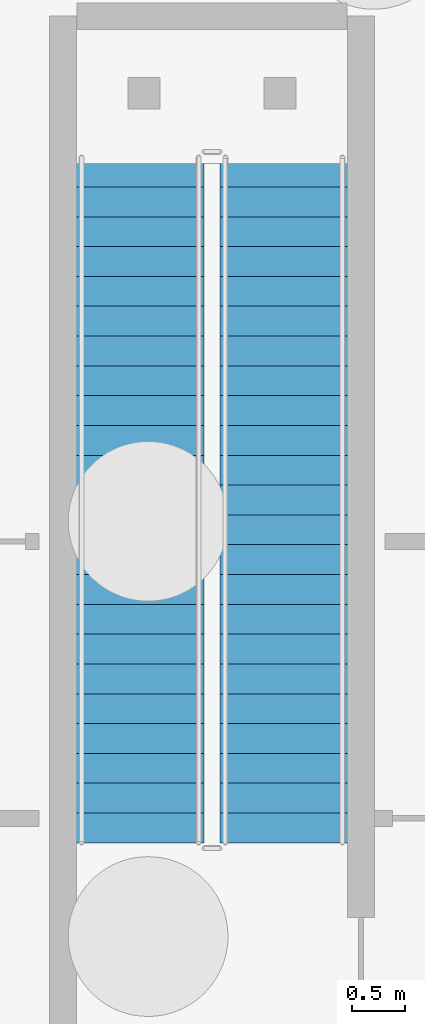
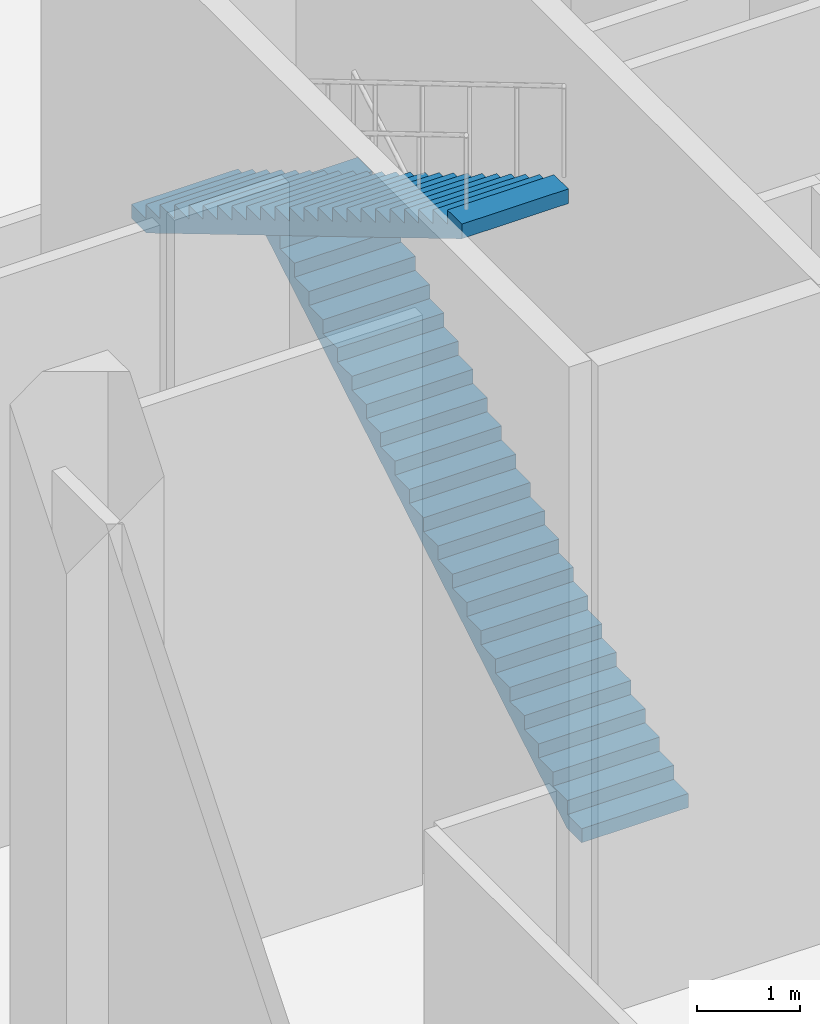
# One storey, part 23 of 34: 2 stair flights, 1 element without a shape of its own.
"""IFC4 building model written with IfcOpenShell, lengths in metres."""

from ifc_helpers import new_model, si_unit, direction, frame, origin, place, context, subcontext, project, spatial, faceted_brep, material, type_object, element, aggregate, save


model = new_model("IFC4")

# Units and contexts
model_context = context("Model", 3, precision=1e-05, world=origin(), true_north=direction((0.0, 1.0)))
body_context = subcontext(model_context, "Body", "Model", "MODEL_VIEW")
ifc_project = project(units=[si_unit("LENGTHUNIT", "METRE"), si_unit("AREAUNIT", "SQUARE_METRE"), si_unit("VOLUMEUNIT", "CUBIC_METRE"), si_unit("PLANEANGLEUNIT", "RADIAN"), si_unit("MASSUNIT", "GRAM", prefix="KILO")], contexts=[model_context])

# Site, building, storey
site_placement = place(None, origin())
site = spatial("IfcSite", under=ifc_project, at=site_placement, CompositionType="ELEMENT")
building_placement = place(site_placement, origin())
building = spatial("IfcBuilding", under=site, at=building_placement, Name="Tarsis Ring Headquarters", CompositionType="ELEMENT")
storey_placement = place(building_placement, origin())
storey = spatial("IfcBuildingStorey", under=building, at=storey_placement, Name="L00", CompositionType="ELEMENT", Elevation=0.0)

# Stair, stair flights
ifc_material = material(Name="Concrete C40/50", Category="concrete")
stair_type = type_object("IfcStairType", Name="PO-ST", PredefinedType="HALF_TURN_STAIR", material=ifc_material)
stair_placement = place(storey_placement, origin())
stair = element("IfcStair", 1, at=stair_placement, inside=storey, type_object=stair_type, Name="L00 Podium stair", PredefinedType="HALF_TURN_STAIR")
stair_flight_type = type_object("IfcStairFlightType", Name="PO-STF", PredefinedType="STRAIGHT", material=ifc_material)
stair_flight_1_placement = place(storey_placement, frame((24.675048828125, 0.8798828125, 0.0), z_axis=(0.0, 0.0, 1.0), x_axis=(0.0, 1.0, 0.0)))
stair_flight_1 = element("IfcStairFlight", 2, at=stair_flight_1_placement, type_object=stair_flight_type, Name="Stair PS1 flight 1", NumberOfRisers=24, NumberOfTreads=23, PredefinedType="STRAIGHT", RiserHeight=0.166666667, TreadLength=0.28, context=body_context, shape_type="Brep", body=[
    faceted_brep([(0.0, 0.60009765625, 0.0), (0.0, 0.60009765625, 0.166748046875), (0.280029296875, 0.60009765625, 0.166748046875), (0.280029296875, 0.60009765625, 0.333251953125), (0.56005859375, 0.60009765625, 0.333251953125), (0.56005859375, 0.60009765625, 0.5), (0.840087890625, 0.60009765625, 0.5), (0.840087890625, 0.60009765625, 0.666748046875), (1.1201171875, 0.60009765625, 0.666748046875), (1.1201171875, 0.60009765625, 0.833251953125), (1.39990234375, 0.60009765625, 0.833251953125), (1.39990234375, 0.60009765625, 1.0), (1.679931640625, 0.60009765625, 1.0), (1.679931640625, 0.60009765625, 1.166748046875), (1.9599609375, 0.60009765625, 1.166748046875), (1.9599609375, 0.60009765625, 1.333251953125), (2.239990234375, 0.60009765625, 1.333251953125), (2.239990234375, 0.60009765625, 1.5), (2.52001953125, 0.60009765625, 1.5), (2.52001953125, 0.60009765625, 1.666748046875), (2.800048828125, 0.60009765625, 1.666748046875), (2.800048828125, 0.60009765625, 1.833251953125), (3.080078125, 0.60009765625, 1.833251953125), (3.080078125, 0.60009765625, 2.0), (3.360107421875, 0.60009765625, 2.0), (3.360107421875, 0.60009765625, 2.166748046875), (3.639892578125, 0.60009765625, 2.166748046875), (3.639892578125, 0.60009765625, 2.333251953125), (3.919921875, 0.60009765625, 2.333251953125), (3.919921875, 0.60009765625, 2.5), (4.199951171875, 0.60009765625, 2.5), (4.199951171875, 0.60009765625, 2.666748046875), (4.47998046875, 0.60009765625, 2.666748046875), (4.47998046875, 0.60009765625, 2.833251953125), (4.760009765625, 0.60009765625, 2.833251953125), (4.760009765625, 0.60009765625, 3.0), (5.0400390625, 0.60009765625, 3.0), (5.0400390625, 0.60009765625, 3.166748046875), (5.320068359375, 0.60009765625, 3.166748046875), (5.320068359375, 0.60009765625, 3.333251953125), (5.60009765625, 0.60009765625, 3.333251953125), (5.60009765625, 0.60009765625, 3.5), (5.8798828125, 0.60009765625, 3.5), (5.8798828125, 0.60009765625, 3.666748046875), (6.159912109375, 0.60009765625, 3.666748046875), (6.159912109375, 0.60009765625, 3.833251953125), (6.43994140625, 0.60009765625, 3.833251953125), (6.43994140625, 0.60009765625, 3.658935546875), (0.29296875, 0.60009765625, 0.0), (0.29296875, -0.60009765625, 0.0), (6.43994140625, -0.60009765625, 3.658935546875), (6.43994140625, -0.60009765625, 3.833251953125), (6.159912109375, -0.60009765625, 3.833251953125), (6.159912109375, -0.60009765625, 3.666748046875), (5.8798828125, -0.60009765625, 3.666748046875), (5.8798828125, -0.60009765625, 3.5), (5.60009765625, -0.60009765625, 3.5), (5.60009765625, -0.60009765625, 3.333251953125), (5.320068359375, -0.60009765625, 3.333251953125), (5.320068359375, -0.60009765625, 3.166748046875), (5.0400390625, -0.60009765625, 3.166748046875), (5.0400390625, -0.60009765625, 3.0), (4.760009765625, -0.60009765625, 3.0), (4.760009765625, -0.60009765625, 2.833251953125), (4.47998046875, -0.60009765625, 2.833251953125), (4.47998046875, -0.60009765625, 2.666748046875), (4.199951171875, -0.60009765625, 2.666748046875), (4.199951171875, -0.60009765625, 2.5), (3.919921875, -0.60009765625, 2.5), (3.919921875, -0.60009765625, 2.333251953125), (3.639892578125, -0.60009765625, 2.333251953125), (3.639892578125, -0.60009765625, 2.166748046875), (3.360107421875, -0.60009765625, 2.166748046875), (3.360107421875, -0.60009765625, 2.0), (3.080078125, -0.60009765625, 2.0), (3.080078125, -0.60009765625, 1.833251953125), (2.800048828125, -0.60009765625, 1.833251953125), (2.800048828125, -0.60009765625, 1.666748046875), (2.52001953125, -0.60009765625, 1.666748046875), (2.52001953125, -0.60009765625, 1.5), (2.239990234375, -0.60009765625, 1.5), (2.239990234375, -0.60009765625, 1.333251953125), (1.9599609375, -0.60009765625, 1.333251953125), (1.9599609375, -0.60009765625, 1.166748046875), (1.679931640625, -0.60009765625, 1.166748046875), (1.679931640625, -0.60009765625, 1.0), (1.39990234375, -0.60009765625, 1.0), (1.39990234375, -0.60009765625, 0.833251953125), (1.1201171875, -0.60009765625, 0.833251953125), (1.1201171875, -0.60009765625, 0.666748046875), (0.840087890625, -0.60009765625, 0.666748046875), (0.840087890625, -0.60009765625, 0.5), (0.56005859375, -0.60009765625, 0.5), (0.56005859375, -0.60009765625, 0.333251953125), (0.280029296875, -0.60009765625, 0.333251953125), (0.280029296875, -0.60009765625, 0.166748046875), (0.0, -0.60009765625, 0.166748046875), (0.0, -0.60009765625, 0.0), (0.0, -0.300048828125, 0.166748046875), (0.0, -0.300048828125, 0.0), (0.0, 0.0, 0.166748046875), (0.0, 0.0, 0.0), (0.0, 0.300048828125, 0.166748046875), (0.0, 0.300048828125, 0.0), (0.280029296875, -0.300048828125, 0.166748046875), (0.280029296875, 0.0, 0.166748046875), (0.280029296875, 0.300048828125, 0.166748046875), (0.280029296875, -0.300048828125, 0.333251953125), (0.280029296875, 0.0, 0.333251953125), (0.280029296875, 0.300048828125, 0.333251953125), (0.56005859375, -0.300048828125, 0.333251953125), (0.56005859375, 0.0, 0.333251953125), (0.56005859375, 0.300048828125, 0.333251953125), (0.56005859375, -0.300048828125, 0.5), (0.56005859375, 0.0, 0.5), (0.56005859375, 0.300048828125, 0.5), (0.840087890625, -0.300048828125, 0.5), (0.840087890625, 0.0, 0.5), (0.840087890625, 0.300048828125, 0.5), (0.840087890625, -0.300048828125, 0.666748046875), (0.840087890625, 0.0, 0.666748046875), (0.840087890625, 0.300048828125, 0.666748046875), (1.1201171875, -0.300048828125, 0.666748046875), (1.1201171875, 0.0, 0.666748046875), (1.1201171875, 0.300048828125, 0.666748046875), (1.1201171875, -0.300048828125, 0.833251953125), (1.1201171875, 0.0, 0.833251953125), (1.1201171875, 0.300048828125, 0.833251953125), (1.39990234375, -0.300048828125, 0.833251953125), (1.39990234375, 0.0, 0.833251953125), (1.39990234375, 0.300048828125, 0.833251953125), (1.39990234375, -0.300048828125, 1.0), (1.39990234375, 0.0, 1.0), (1.39990234375, 0.300048828125, 1.0), (1.679931640625, -0.300048828125, 1.0), (1.679931640625, 0.0, 1.0), (1.679931640625, 0.300048828125, 1.0), (1.679931640625, -0.300048828125, 1.166748046875), (1.679931640625, 0.0, 1.166748046875), (1.679931640625, 0.300048828125, 1.166748046875), (1.9599609375, -0.300048828125, 1.166748046875), (1.9599609375, 0.0, 1.166748046875), (1.9599609375, 0.300048828125, 1.166748046875), (1.9599609375, -0.300048828125, 1.333251953125), (1.9599609375, 0.0, 1.333251953125), (1.9599609375, 0.300048828125, 1.333251953125), (2.239990234375, -0.300048828125, 1.333251953125), (2.239990234375, 0.0, 1.333251953125), (2.239990234375, 0.300048828125, 1.333251953125), (2.239990234375, -0.300048828125, 1.5), (2.239990234375, 0.0, 1.5), (2.239990234375, 0.300048828125, 1.5), (2.52001953125, -0.300048828125, 1.5), (2.52001953125, 0.0, 1.5), (2.52001953125, 0.300048828125, 1.5), (2.52001953125, -0.300048828125, 1.666748046875), (2.52001953125, 0.0, 1.666748046875), (2.52001953125, 0.300048828125, 1.666748046875), (2.800048828125, -0.300048828125, 1.666748046875), (2.800048828125, 0.0, 1.666748046875), (2.800048828125, 0.300048828125, 1.666748046875), (2.800048828125, -0.300048828125, 1.833251953125), (2.800048828125, 0.0, 1.833251953125), (2.800048828125, 0.300048828125, 1.833251953125), (3.080078125, -0.300048828125, 1.833251953125), (3.080078125, 0.0, 1.833251953125), (3.080078125, 0.300048828125, 1.833251953125), (3.080078125, -0.300048828125, 2.0), (3.080078125, 0.0, 2.0), (3.080078125, 0.300048828125, 2.0), (3.360107421875, -0.300048828125, 2.0), (3.360107421875, 0.0, 2.0), (3.360107421875, 0.300048828125, 2.0), (3.360107421875, -0.300048828125, 2.166748046875), (3.360107421875, 0.0, 2.166748046875), (3.360107421875, 0.300048828125, 2.166748046875), (3.639892578125, -0.300048828125, 2.166748046875), (3.639892578125, 0.0, 2.166748046875), (3.639892578125, 0.300048828125, 2.166748046875), (3.639892578125, -0.300048828125, 2.333251953125), (3.639892578125, 0.0, 2.333251953125), (3.639892578125, 0.300048828125, 2.333251953125), (3.919921875, -0.300048828125, 2.333251953125), (3.919921875, 0.0, 2.333251953125), (3.919921875, 0.300048828125, 2.333251953125), (3.919921875, -0.300048828125, 2.5), (3.919921875, 0.0, 2.5), (3.919921875, 0.300048828125, 2.5), (4.199951171875, -0.300048828125, 2.5), (4.199951171875, 0.0, 2.5), (4.199951171875, 0.300048828125, 2.5), (4.199951171875, -0.300048828125, 2.666748046875), (4.199951171875, 0.0, 2.666748046875), (4.199951171875, 0.300048828125, 2.666748046875), (4.47998046875, -0.300048828125, 2.666748046875), (4.47998046875, 0.0, 2.666748046875), (4.47998046875, 0.300048828125, 2.666748046875), (4.47998046875, -0.300048828125, 2.833251953125), (4.47998046875, 0.0, 2.833251953125), (4.47998046875, 0.300048828125, 2.833251953125), (4.760009765625, -0.300048828125, 2.833251953125), (4.760009765625, 0.0, 2.833251953125), (4.760009765625, 0.300048828125, 2.833251953125), (4.760009765625, -0.300048828125, 3.0), (4.760009765625, 0.0, 3.0), (4.760009765625, 0.300048828125, 3.0), (5.0400390625, -0.300048828125, 3.0), (5.0400390625, 0.0, 3.0), (5.0400390625, 0.300048828125, 3.0), (5.0400390625, -0.300048828125, 3.166748046875), (5.0400390625, 0.0, 3.166748046875), (5.0400390625, 0.300048828125, 3.166748046875), (5.320068359375, -0.300048828125, 3.166748046875), (5.320068359375, 0.0, 3.166748046875), (5.320068359375, 0.300048828125, 3.166748046875), (5.320068359375, -0.300048828125, 3.333251953125), (5.320068359375, 0.0, 3.333251953125), (5.320068359375, 0.300048828125, 3.333251953125), (5.60009765625, -0.300048828125, 3.333251953125), (5.60009765625, 0.0, 3.333251953125), (5.60009765625, 0.300048828125, 3.333251953125), (5.60009765625, -0.300048828125, 3.5), (5.60009765625, 0.0, 3.5), (5.60009765625, 0.300048828125, 3.5), (5.8798828125, -0.300048828125, 3.5), (5.8798828125, 0.0, 3.5), (5.8798828125, 0.300048828125, 3.5), (5.8798828125, -0.300048828125, 3.666748046875), (5.8798828125, 0.0, 3.666748046875), (5.8798828125, 0.300048828125, 3.666748046875), (6.159912109375, -0.300048828125, 3.666748046875), (6.159912109375, 0.0, 3.666748046875), (6.159912109375, 0.300048828125, 3.666748046875), (6.159912109375, -0.300048828125, 3.833251953125), (6.159912109375, 0.0, 3.833251953125), (6.159912109375, 0.300048828125, 3.833251953125), (6.43994140625, -0.300048828125, 3.833251953125), (6.43994140625, 0.0, 3.833251953125), (6.43994140625, 0.300048828125, 3.833251953125), (6.43994140625, -0.300048828125, 3.658935546875), (6.43994140625, 0.0, 3.658935546875), (6.43994140625, 0.300048828125, 3.658935546875), (0.29296875, -0.300048828125, 0.0), (0.29296875, 0.0, 0.0), (0.29296875, 0.300048828125, 0.0)], [[[0, 1, 2, 3, 4, 5, 6, 7, 8, 9, 10, 11, 12, 13, 14, 15, 16, 17, 18, 19, 20, 21, 22, 23, 24, 25, 26, 27, 28, 29, 30, 31, 32, 33, 34, 35, 36, 37, 38, 39, 40, 41, 42, 43, 44, 45, 46, 47, 48]], [[49, 50, 51, 52, 53, 54, 55, 56, 57, 58, 59, 60, 61, 62, 63, 64, 65, 66, 67, 68, 69, 70, 71, 72, 73, 74, 75, 76, 77, 78, 79, 80, 81, 82, 83, 84, 85, 86, 87, 88, 89, 90, 91, 92, 93, 94, 95, 96, 97]], [[97, 96, 98, 99]], [[99, 98, 100, 101]], [[101, 100, 102, 103]], [[103, 102, 1, 0]], [[96, 95, 104, 98]], [[98, 104, 105, 100]], [[100, 105, 106, 102]], [[102, 106, 2, 1]], [[95, 94, 107, 104]], [[104, 107, 108, 105]], [[105, 108, 109, 106]], [[106, 109, 3, 2]], [[94, 93, 110, 107]], [[107, 110, 111, 108]], [[108, 111, 112, 109]], [[109, 112, 4, 3]], [[93, 92, 113, 110]], [[110, 113, 114, 111]], [[111, 114, 115, 112]], [[112, 115, 5, 4]], [[92, 91, 116, 113]], [[113, 116, 117, 114]], [[114, 117, 118, 115]], [[115, 118, 6, 5]], [[91, 90, 119, 116]], [[116, 119, 120, 117]], [[117, 120, 121, 118]], [[118, 121, 7, 6]], [[90, 89, 122, 119]], [[119, 122, 123, 120]], [[120, 123, 124, 121]], [[121, 124, 8, 7]], [[89, 88, 125, 122]], [[122, 125, 126, 123]], [[123, 126, 127, 124]], [[124, 127, 9, 8]], [[88, 87, 128, 125]], [[125, 128, 129, 126]], [[126, 129, 130, 127]], [[127, 130, 10, 9]], [[87, 86, 131, 128]], [[128, 131, 132, 129]], [[129, 132, 133, 130]], [[130, 133, 11, 10]], [[86, 85, 134, 131]], [[131, 134, 135, 132]], [[132, 135, 136, 133]], [[133, 136, 12, 11]], [[85, 84, 137, 134]], [[134, 137, 138, 135]], [[135, 138, 139, 136]], [[136, 139, 13, 12]], [[84, 83, 140, 137]], [[137, 140, 141, 138]], [[138, 141, 142, 139]], [[139, 142, 14, 13]], [[83, 82, 143, 140]], [[140, 143, 144, 141]], [[141, 144, 145, 142]], [[142, 145, 15, 14]], [[82, 81, 146, 143]], [[143, 146, 147, 144]], [[144, 147, 148, 145]], [[145, 148, 16, 15]], [[81, 80, 149, 146]], [[146, 149, 150, 147]], [[147, 150, 151, 148]], [[148, 151, 17, 16]], [[80, 79, 152, 149]], [[149, 152, 153, 150]], [[150, 153, 154, 151]], [[151, 154, 18, 17]], [[79, 78, 155, 152]], [[152, 155, 156, 153]], [[153, 156, 157, 154]], [[154, 157, 19, 18]], [[78, 77, 158, 155]], [[155, 158, 159, 156]], [[156, 159, 160, 157]], [[157, 160, 20, 19]], [[77, 76, 161, 158]], [[158, 161, 162, 159]], [[159, 162, 163, 160]], [[160, 163, 21, 20]], [[76, 75, 164, 161]], [[161, 164, 165, 162]], [[162, 165, 166, 163]], [[163, 166, 22, 21]], [[75, 74, 167, 164]], [[164, 167, 168, 165]], [[165, 168, 169, 166]], [[166, 169, 23, 22]], [[74, 73, 170, 167]], [[167, 170, 171, 168]], [[168, 171, 172, 169]], [[169, 172, 24, 23]], [[73, 72, 173, 170]], [[170, 173, 174, 171]], [[171, 174, 175, 172]], [[172, 175, 25, 24]], [[72, 71, 176, 173]], [[173, 176, 177, 174]], [[174, 177, 178, 175]], [[175, 178, 26, 25]], [[71, 70, 179, 176]], [[176, 179, 180, 177]], [[177, 180, 181, 178]], [[178, 181, 27, 26]], [[70, 69, 182, 179]], [[179, 182, 183, 180]], [[180, 183, 184, 181]], [[181, 184, 28, 27]], [[69, 68, 185, 182]], [[182, 185, 186, 183]], [[183, 186, 187, 184]], [[184, 187, 29, 28]], [[68, 67, 188, 185]], [[185, 188, 189, 186]], [[186, 189, 190, 187]], [[187, 190, 30, 29]], [[67, 66, 191, 188]], [[188, 191, 192, 189]], [[189, 192, 193, 190]], [[190, 193, 31, 30]], [[66, 65, 194, 191]], [[191, 194, 195, 192]], [[192, 195, 196, 193]], [[193, 196, 32, 31]], [[65, 64, 197, 194]], [[194, 197, 198, 195]], [[195, 198, 199, 196]], [[196, 199, 33, 32]], [[64, 63, 200, 197]], [[197, 200, 201, 198]], [[198, 201, 202, 199]], [[199, 202, 34, 33]], [[63, 62, 203, 200]], [[200, 203, 204, 201]], [[201, 204, 205, 202]], [[202, 205, 35, 34]], [[62, 61, 206, 203]], [[203, 206, 207, 204]], [[204, 207, 208, 205]], [[205, 208, 36, 35]], [[61, 60, 209, 206]], [[206, 209, 210, 207]], [[207, 210, 211, 208]], [[208, 211, 37, 36]], [[60, 59, 212, 209]], [[209, 212, 213, 210]], [[210, 213, 214, 211]], [[211, 214, 38, 37]], [[59, 58, 215, 212]], [[212, 215, 216, 213]], [[213, 216, 217, 214]], [[214, 217, 39, 38]], [[58, 57, 218, 215]], [[215, 218, 219, 216]], [[216, 219, 220, 217]], [[217, 220, 40, 39]], [[57, 56, 221, 218]], [[218, 221, 222, 219]], [[219, 222, 223, 220]], [[220, 223, 41, 40]], [[56, 55, 224, 221]], [[221, 224, 225, 222]], [[222, 225, 226, 223]], [[223, 226, 42, 41]], [[55, 54, 227, 224]], [[224, 227, 228, 225]], [[225, 228, 229, 226]], [[226, 229, 43, 42]], [[54, 53, 230, 227]], [[227, 230, 231, 228]], [[228, 231, 232, 229]], [[229, 232, 44, 43]], [[53, 52, 233, 230]], [[230, 233, 234, 231]], [[231, 234, 235, 232]], [[232, 235, 45, 44]], [[52, 51, 236, 233]], [[233, 236, 237, 234]], [[234, 237, 238, 235]], [[235, 238, 46, 45]], [[51, 50, 239, 236]], [[236, 239, 240, 237]], [[237, 240, 241, 238]], [[238, 241, 47, 46]], [[50, 49, 242, 239]], [[239, 242, 243, 240]], [[240, 243, 244, 241]], [[241, 244, 48, 47]], [[49, 97, 99, 242]], [[242, 99, 101, 243]], [[243, 101, 103, 244]], [[244, 103, 0, 48]]]),
])
stair_flight_2_placement = place(storey_placement, frame((23.324951171875, 7.320068359375, 4.0), z_axis=(0.0, 0.0, 1.0), x_axis=(0.0, -1.0, 0.0)))
stair_flight_2 = element("IfcStairFlight", 3, at=stair_flight_2_placement, type_object=stair_flight_type, Name="Stair PS1 flight 2", NumberOfRisers=24, NumberOfTreads=23, PredefinedType="STRAIGHT", RiserHeight=0.166666667, TreadLength=0.28, context=body_context, shape_type="Brep", body=[
    faceted_brep([(0.0, 0.60009765625, 0.0), (0.0, 0.60009765625, 0.166748046875), (0.280029296875, 0.60009765625, 0.166748046875), (0.280029296875, 0.60009765625, 0.333251953125), (0.56005859375, 0.60009765625, 0.333251953125), (0.56005859375, 0.60009765625, 0.5), (0.840087890625, 0.60009765625, 0.5), (0.840087890625, 0.60009765625, 0.666748046875), (1.1201171875, 0.60009765625, 0.666748046875), (1.1201171875, 0.60009765625, 0.833251953125), (1.39990234375, 0.60009765625, 0.833251953125), (1.39990234375, 0.60009765625, 1.0), (1.679931640625, 0.60009765625, 1.0), (1.679931640625, 0.60009765625, 1.166748046875), (1.9599609375, 0.60009765625, 1.166748046875), (1.9599609375, 0.60009765625, 1.333251953125), (2.239990234375, 0.60009765625, 1.333251953125), (2.239990234375, 0.60009765625, 1.5), (2.52001953125, 0.60009765625, 1.5), (2.52001953125, 0.60009765625, 1.666748046875), (2.800048828125, 0.60009765625, 1.666748046875), (2.800048828125, 0.60009765625, 1.833251953125), (3.080078125, 0.60009765625, 1.833251953125), (3.080078125, 0.60009765625, 2.0), (3.360107421875, 0.60009765625, 2.0), (3.360107421875, 0.60009765625, 2.166748046875), (3.639892578125, 0.60009765625, 2.166748046875), (3.639892578125, 0.60009765625, 2.333251953125), (3.919921875, 0.60009765625, 2.333251953125), (3.919921875, 0.60009765625, 2.5), (4.199951171875, 0.60009765625, 2.5), (4.199951171875, 0.60009765625, 2.666748046875), (4.47998046875, 0.60009765625, 2.666748046875), (4.47998046875, 0.60009765625, 2.833251953125), (4.760009765625, 0.60009765625, 2.833251953125), (4.760009765625, 0.60009765625, 3.0), (5.0400390625, 0.60009765625, 3.0), (5.0400390625, 0.60009765625, 3.166748046875), (5.320068359375, 0.60009765625, 3.166748046875), (5.320068359375, 0.60009765625, 3.333251953125), (5.60009765625, 0.60009765625, 3.333251953125), (5.60009765625, 0.60009765625, 3.5), (5.8798828125, 0.60009765625, 3.5), (5.8798828125, 0.60009765625, 3.666748046875), (6.159912109375, 0.60009765625, 3.666748046875), (6.159912109375, 0.60009765625, 3.833251953125), (6.43994140625, 0.60009765625, 3.833251953125), (6.43994140625, 0.60009765625, 3.658935546875), (0.29296875, 0.60009765625, 0.0), (0.29296875, -0.60009765625, 0.0), (6.43994140625, -0.60009765625, 3.658935546875), (6.43994140625, -0.60009765625, 3.833251953125), (6.159912109375, -0.60009765625, 3.833251953125), (6.159912109375, -0.60009765625, 3.666748046875), (5.8798828125, -0.60009765625, 3.666748046875), (5.8798828125, -0.60009765625, 3.5), (5.60009765625, -0.60009765625, 3.5), (5.60009765625, -0.60009765625, 3.333251953125), (5.320068359375, -0.60009765625, 3.333251953125), (5.320068359375, -0.60009765625, 3.166748046875), (5.0400390625, -0.60009765625, 3.166748046875), (5.0400390625, -0.60009765625, 3.0), (4.760009765625, -0.60009765625, 3.0), (4.760009765625, -0.60009765625, 2.833251953125), (4.47998046875, -0.60009765625, 2.833251953125), (4.47998046875, -0.60009765625, 2.666748046875), (4.199951171875, -0.60009765625, 2.666748046875), (4.199951171875, -0.60009765625, 2.5), (3.919921875, -0.60009765625, 2.5), (3.919921875, -0.60009765625, 2.333251953125), (3.639892578125, -0.60009765625, 2.333251953125), (3.639892578125, -0.60009765625, 2.166748046875), (3.360107421875, -0.60009765625, 2.166748046875), (3.360107421875, -0.60009765625, 2.0), (3.080078125, -0.60009765625, 2.0), (3.080078125, -0.60009765625, 1.833251953125), (2.800048828125, -0.60009765625, 1.833251953125), (2.800048828125, -0.60009765625, 1.666748046875), (2.52001953125, -0.60009765625, 1.666748046875), (2.52001953125, -0.60009765625, 1.5), (2.239990234375, -0.60009765625, 1.5), (2.239990234375, -0.60009765625, 1.333251953125), (1.9599609375, -0.60009765625, 1.333251953125), (1.9599609375, -0.60009765625, 1.166748046875), (1.679931640625, -0.60009765625, 1.166748046875), (1.679931640625, -0.60009765625, 1.0), (1.39990234375, -0.60009765625, 1.0), (1.39990234375, -0.60009765625, 0.833251953125), (1.1201171875, -0.60009765625, 0.833251953125), (1.1201171875, -0.60009765625, 0.666748046875), (0.840087890625, -0.60009765625, 0.666748046875), (0.840087890625, -0.60009765625, 0.5), (0.56005859375, -0.60009765625, 0.5), (0.56005859375, -0.60009765625, 0.333251953125), (0.280029296875, -0.60009765625, 0.333251953125), (0.280029296875, -0.60009765625, 0.166748046875), (0.0, -0.60009765625, 0.166748046875), (0.0, -0.60009765625, 0.0), (0.0, -0.300048828125, 0.166748046875), (0.0, -0.300048828125, 0.0), (0.0, 0.0, 0.166748046875), (0.0, 0.0, 0.0), (0.0, 0.300048828125, 0.166748046875), (0.0, 0.300048828125, 0.0), (0.280029296875, -0.300048828125, 0.166748046875), (0.280029296875, 0.0, 0.166748046875), (0.280029296875, 0.300048828125, 0.166748046875), (0.280029296875, -0.300048828125, 0.333251953125), (0.280029296875, 0.0, 0.333251953125), (0.280029296875, 0.300048828125, 0.333251953125), (0.56005859375, -0.300048828125, 0.333251953125), (0.56005859375, 0.0, 0.333251953125), (0.56005859375, 0.300048828125, 0.333251953125), (0.56005859375, -0.300048828125, 0.5), (0.56005859375, 0.0, 0.5), (0.56005859375, 0.300048828125, 0.5), (0.840087890625, -0.300048828125, 0.5), (0.840087890625, 0.0, 0.5), (0.840087890625, 0.300048828125, 0.5), (0.840087890625, -0.300048828125, 0.666748046875), (0.840087890625, 0.0, 0.666748046875), (0.840087890625, 0.300048828125, 0.666748046875), (1.1201171875, -0.300048828125, 0.666748046875), (1.1201171875, 0.0, 0.666748046875), (1.1201171875, 0.300048828125, 0.666748046875), (1.1201171875, -0.300048828125, 0.833251953125), (1.1201171875, 0.0, 0.833251953125), (1.1201171875, 0.300048828125, 0.833251953125), (1.39990234375, -0.300048828125, 0.833251953125), (1.39990234375, 0.0, 0.833251953125), (1.39990234375, 0.300048828125, 0.833251953125), (1.39990234375, -0.300048828125, 1.0), (1.39990234375, 0.0, 1.0), (1.39990234375, 0.300048828125, 1.0), (1.679931640625, -0.300048828125, 1.0), (1.679931640625, 0.0, 1.0), (1.679931640625, 0.300048828125, 1.0), (1.679931640625, -0.300048828125, 1.166748046875), (1.679931640625, 0.0, 1.166748046875), (1.679931640625, 0.300048828125, 1.166748046875), (1.9599609375, -0.300048828125, 1.166748046875), (1.9599609375, 0.0, 1.166748046875), (1.9599609375, 0.300048828125, 1.166748046875), (1.9599609375, -0.300048828125, 1.333251953125), (1.9599609375, 0.0, 1.333251953125), (1.9599609375, 0.300048828125, 1.333251953125), (2.239990234375, -0.300048828125, 1.333251953125), (2.239990234375, 0.0, 1.333251953125), (2.239990234375, 0.300048828125, 1.333251953125), (2.239990234375, -0.300048828125, 1.5), (2.239990234375, 0.0, 1.5), (2.239990234375, 0.300048828125, 1.5), (2.52001953125, -0.300048828125, 1.5), (2.52001953125, 0.0, 1.5), (2.52001953125, 0.300048828125, 1.5), (2.52001953125, -0.300048828125, 1.666748046875), (2.52001953125, 0.0, 1.666748046875), (2.52001953125, 0.300048828125, 1.666748046875), (2.800048828125, -0.300048828125, 1.666748046875), (2.800048828125, 0.0, 1.666748046875), (2.800048828125, 0.300048828125, 1.666748046875), (2.800048828125, -0.300048828125, 1.833251953125), (2.800048828125, 0.0, 1.833251953125), (2.800048828125, 0.300048828125, 1.833251953125), (3.080078125, -0.300048828125, 1.833251953125), (3.080078125, 0.0, 1.833251953125), (3.080078125, 0.300048828125, 1.833251953125), (3.080078125, -0.300048828125, 2.0), (3.080078125, 0.0, 2.0), (3.080078125, 0.300048828125, 2.0), (3.360107421875, -0.300048828125, 2.0), (3.360107421875, 0.0, 2.0), (3.360107421875, 0.300048828125, 2.0), (3.360107421875, -0.300048828125, 2.166748046875), (3.360107421875, 0.0, 2.166748046875), (3.360107421875, 0.300048828125, 2.166748046875), (3.639892578125, -0.300048828125, 2.166748046875), (3.639892578125, 0.0, 2.166748046875), (3.639892578125, 0.300048828125, 2.166748046875), (3.639892578125, -0.300048828125, 2.333251953125), (3.639892578125, 0.0, 2.333251953125), (3.639892578125, 0.300048828125, 2.333251953125), (3.919921875, -0.300048828125, 2.333251953125), (3.919921875, 0.0, 2.333251953125), (3.919921875, 0.300048828125, 2.333251953125), (3.919921875, -0.300048828125, 2.5), (3.919921875, 0.0, 2.5), (3.919921875, 0.300048828125, 2.5), (4.199951171875, -0.300048828125, 2.5), (4.199951171875, 0.0, 2.5), (4.199951171875, 0.300048828125, 2.5), (4.199951171875, -0.300048828125, 2.666748046875), (4.199951171875, 0.0, 2.666748046875), (4.199951171875, 0.300048828125, 2.666748046875), (4.47998046875, -0.300048828125, 2.666748046875), (4.47998046875, 0.0, 2.666748046875), (4.47998046875, 0.300048828125, 2.666748046875), (4.47998046875, -0.300048828125, 2.833251953125), (4.47998046875, 0.0, 2.833251953125), (4.47998046875, 0.300048828125, 2.833251953125), (4.760009765625, -0.300048828125, 2.833251953125), (4.760009765625, 0.0, 2.833251953125), (4.760009765625, 0.300048828125, 2.833251953125), (4.760009765625, -0.300048828125, 3.0), (4.760009765625, 0.0, 3.0), (4.760009765625, 0.300048828125, 3.0), (5.0400390625, -0.300048828125, 3.0), (5.0400390625, 0.0, 3.0), (5.0400390625, 0.300048828125, 3.0), (5.0400390625, -0.300048828125, 3.166748046875), (5.0400390625, 0.0, 3.166748046875), (5.0400390625, 0.300048828125, 3.166748046875), (5.320068359375, -0.300048828125, 3.166748046875), (5.320068359375, 0.0, 3.166748046875), (5.320068359375, 0.300048828125, 3.166748046875), (5.320068359375, -0.300048828125, 3.333251953125), (5.320068359375, 0.0, 3.333251953125), (5.320068359375, 0.300048828125, 3.333251953125), (5.60009765625, -0.300048828125, 3.333251953125), (5.60009765625, 0.0, 3.333251953125), (5.60009765625, 0.300048828125, 3.333251953125), (5.60009765625, -0.300048828125, 3.5), (5.60009765625, 0.0, 3.5), (5.60009765625, 0.300048828125, 3.5), (5.8798828125, -0.300048828125, 3.5), (5.8798828125, 0.0, 3.5), (5.8798828125, 0.300048828125, 3.5), (5.8798828125, -0.300048828125, 3.666748046875), (5.8798828125, 0.0, 3.666748046875), (5.8798828125, 0.300048828125, 3.666748046875), (6.159912109375, -0.300048828125, 3.666748046875), (6.159912109375, 0.0, 3.666748046875), (6.159912109375, 0.300048828125, 3.666748046875), (6.159912109375, -0.300048828125, 3.833251953125), (6.159912109375, 0.0, 3.833251953125), (6.159912109375, 0.300048828125, 3.833251953125), (6.43994140625, -0.300048828125, 3.833251953125), (6.43994140625, 0.0, 3.833251953125), (6.43994140625, 0.300048828125, 3.833251953125), (6.43994140625, -0.300048828125, 3.658935546875), (6.43994140625, 0.0, 3.658935546875), (6.43994140625, 0.300048828125, 3.658935546875), (0.29296875, -0.300048828125, 0.0), (0.29296875, 0.0, 0.0), (0.29296875, 0.300048828125, 0.0)], [[[0, 1, 2, 3, 4, 5, 6, 7, 8, 9, 10, 11, 12, 13, 14, 15, 16, 17, 18, 19, 20, 21, 22, 23, 24, 25, 26, 27, 28, 29, 30, 31, 32, 33, 34, 35, 36, 37, 38, 39, 40, 41, 42, 43, 44, 45, 46, 47, 48]], [[49, 50, 51, 52, 53, 54, 55, 56, 57, 58, 59, 60, 61, 62, 63, 64, 65, 66, 67, 68, 69, 70, 71, 72, 73, 74, 75, 76, 77, 78, 79, 80, 81, 82, 83, 84, 85, 86, 87, 88, 89, 90, 91, 92, 93, 94, 95, 96, 97]], [[97, 96, 98, 99]], [[99, 98, 100, 101]], [[101, 100, 102, 103]], [[103, 102, 1, 0]], [[96, 95, 104, 98]], [[98, 104, 105, 100]], [[100, 105, 106, 102]], [[102, 106, 2, 1]], [[95, 94, 107, 104]], [[104, 107, 108, 105]], [[105, 108, 109, 106]], [[106, 109, 3, 2]], [[94, 93, 110, 107]], [[107, 110, 111, 108]], [[108, 111, 112, 109]], [[109, 112, 4, 3]], [[93, 92, 113, 110]], [[110, 113, 114, 111]], [[111, 114, 115, 112]], [[112, 115, 5, 4]], [[92, 91, 116, 113]], [[113, 116, 117, 114]], [[114, 117, 118, 115]], [[115, 118, 6, 5]], [[91, 90, 119, 116]], [[116, 119, 120, 117]], [[117, 120, 121, 118]], [[118, 121, 7, 6]], [[90, 89, 122, 119]], [[119, 122, 123, 120]], [[120, 123, 124, 121]], [[121, 124, 8, 7]], [[89, 88, 125, 122]], [[122, 125, 126, 123]], [[123, 126, 127, 124]], [[124, 127, 9, 8]], [[88, 87, 128, 125]], [[125, 128, 129, 126]], [[126, 129, 130, 127]], [[127, 130, 10, 9]], [[87, 86, 131, 128]], [[128, 131, 132, 129]], [[129, 132, 133, 130]], [[130, 133, 11, 10]], [[86, 85, 134, 131]], [[131, 134, 135, 132]], [[132, 135, 136, 133]], [[133, 136, 12, 11]], [[85, 84, 137, 134]], [[134, 137, 138, 135]], [[135, 138, 139, 136]], [[136, 139, 13, 12]], [[84, 83, 140, 137]], [[137, 140, 141, 138]], [[138, 141, 142, 139]], [[139, 142, 14, 13]], [[83, 82, 143, 140]], [[140, 143, 144, 141]], [[141, 144, 145, 142]], [[142, 145, 15, 14]], [[82, 81, 146, 143]], [[143, 146, 147, 144]], [[144, 147, 148, 145]], [[145, 148, 16, 15]], [[81, 80, 149, 146]], [[146, 149, 150, 147]], [[147, 150, 151, 148]], [[148, 151, 17, 16]], [[80, 79, 152, 149]], [[149, 152, 153, 150]], [[150, 153, 154, 151]], [[151, 154, 18, 17]], [[79, 78, 155, 152]], [[152, 155, 156, 153]], [[153, 156, 157, 154]], [[154, 157, 19, 18]], [[78, 77, 158, 155]], [[155, 158, 159, 156]], [[156, 159, 160, 157]], [[157, 160, 20, 19]], [[77, 76, 161, 158]], [[158, 161, 162, 159]], [[159, 162, 163, 160]], [[160, 163, 21, 20]], [[76, 75, 164, 161]], [[161, 164, 165, 162]], [[162, 165, 166, 163]], [[163, 166, 22, 21]], [[75, 74, 167, 164]], [[164, 167, 168, 165]], [[165, 168, 169, 166]], [[166, 169, 23, 22]], [[74, 73, 170, 167]], [[167, 170, 171, 168]], [[168, 171, 172, 169]], [[169, 172, 24, 23]], [[73, 72, 173, 170]], [[170, 173, 174, 171]], [[171, 174, 175, 172]], [[172, 175, 25, 24]], [[72, 71, 176, 173]], [[173, 176, 177, 174]], [[174, 177, 178, 175]], [[175, 178, 26, 25]], [[71, 70, 179, 176]], [[176, 179, 180, 177]], [[177, 180, 181, 178]], [[178, 181, 27, 26]], [[70, 69, 182, 179]], [[179, 182, 183, 180]], [[180, 183, 184, 181]], [[181, 184, 28, 27]], [[69, 68, 185, 182]], [[182, 185, 186, 183]], [[183, 186, 187, 184]], [[184, 187, 29, 28]], [[68, 67, 188, 185]], [[185, 188, 189, 186]], [[186, 189, 190, 187]], [[187, 190, 30, 29]], [[67, 66, 191, 188]], [[188, 191, 192, 189]], [[189, 192, 193, 190]], [[190, 193, 31, 30]], [[66, 65, 194, 191]], [[191, 194, 195, 192]], [[192, 195, 196, 193]], [[193, 196, 32, 31]], [[65, 64, 197, 194]], [[194, 197, 198, 195]], [[195, 198, 199, 196]], [[196, 199, 33, 32]], [[64, 63, 200, 197]], [[197, 200, 201, 198]], [[198, 201, 202, 199]], [[199, 202, 34, 33]], [[63, 62, 203, 200]], [[200, 203, 204, 201]], [[201, 204, 205, 202]], [[202, 205, 35, 34]], [[62, 61, 206, 203]], [[203, 206, 207, 204]], [[204, 207, 208, 205]], [[205, 208, 36, 35]], [[61, 60, 209, 206]], [[206, 209, 210, 207]], [[207, 210, 211, 208]], [[208, 211, 37, 36]], [[60, 59, 212, 209]], [[209, 212, 213, 210]], [[210, 213, 214, 211]], [[211, 214, 38, 37]], [[59, 58, 215, 212]], [[212, 215, 216, 213]], [[213, 216, 217, 214]], [[214, 217, 39, 38]], [[58, 57, 218, 215]], [[215, 218, 219, 216]], [[216, 219, 220, 217]], [[217, 220, 40, 39]], [[57, 56, 221, 218]], [[218, 221, 222, 219]], [[219, 222, 223, 220]], [[220, 223, 41, 40]], [[56, 55, 224, 221]], [[221, 224, 225, 222]], [[222, 225, 226, 223]], [[223, 226, 42, 41]], [[55, 54, 227, 224]], [[224, 227, 228, 225]], [[225, 228, 229, 226]], [[226, 229, 43, 42]], [[54, 53, 230, 227]], [[227, 230, 231, 228]], [[228, 231, 232, 229]], [[229, 232, 44, 43]], [[53, 52, 233, 230]], [[230, 233, 234, 231]], [[231, 234, 235, 232]], [[232, 235, 45, 44]], [[52, 51, 236, 233]], [[233, 236, 237, 234]], [[234, 237, 238, 235]], [[235, 238, 46, 45]], [[51, 50, 239, 236]], [[236, 239, 240, 237]], [[237, 240, 241, 238]], [[238, 241, 47, 46]], [[50, 49, 242, 239]], [[239, 242, 243, 240]], [[240, 243, 244, 241]], [[241, 244, 48, 47]], [[49, 97, 99, 242]], [[242, 99, 101, 243]], [[243, 101, 103, 244]], [[244, 103, 0, 48]]]),
])
aggregate(stair, [stair_flight_1, stair_flight_2])

save(model, "model.ifc")
